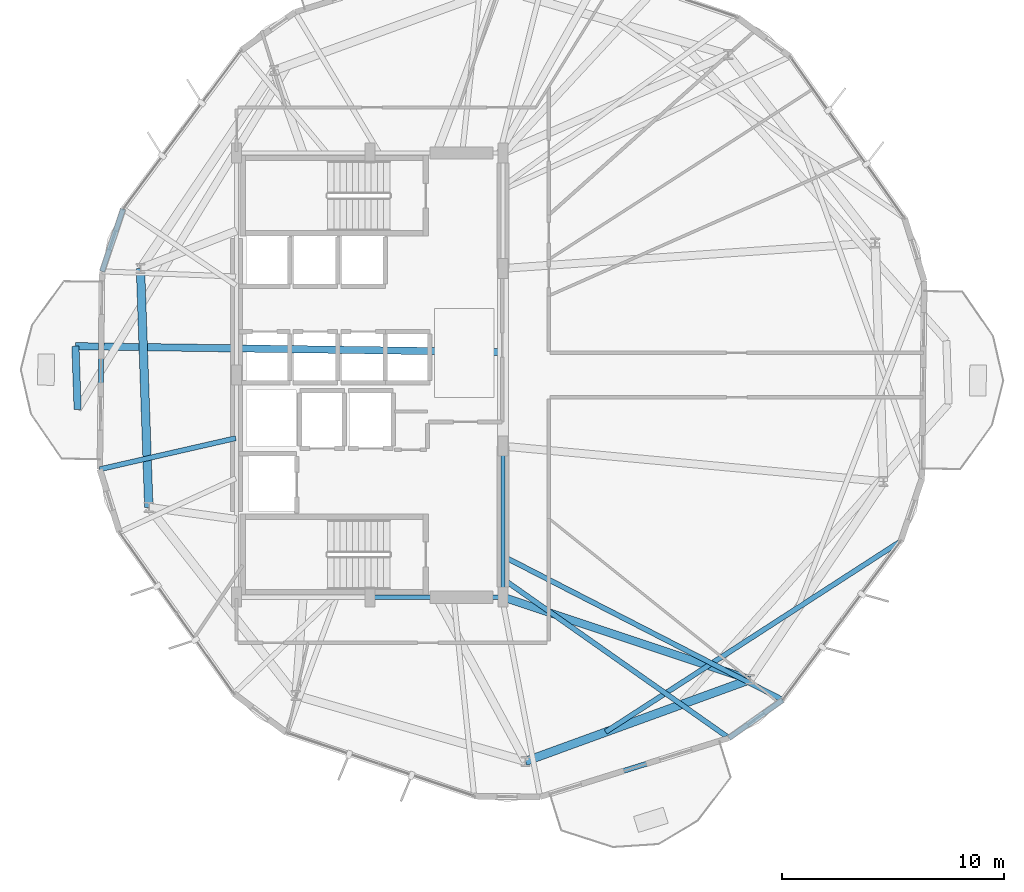
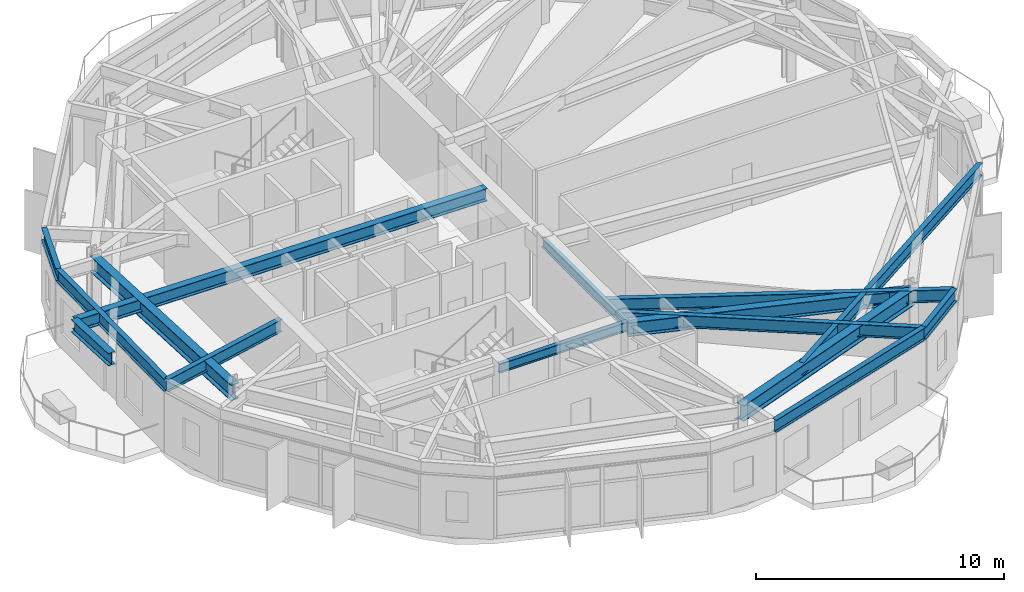
# One storey, part 6 of 27: 15 beams.
"""IFC4 building model written with IfcOpenShell, lengths in metres."""

from ifc_helpers import new_model, si_unit, direction, frame, origin, origin_2d, place, context, subcontext, project, spatial, i_section, extrude, material, material_profile, profile_set, type_object, element, save


model = new_model("IFC4")

# Units and contexts
model_context = context("Model", 3, precision=1e-05, world=origin(), true_north=direction((0.0, 1.0)))
body_context = subcontext(model_context, "Body", "Model", "MODEL_VIEW")
ifc_project = project(units=[si_unit("LENGTHUNIT", "METRE"), si_unit("AREAUNIT", "SQUARE_METRE"), si_unit("VOLUMEUNIT", "CUBIC_METRE"), si_unit("PLANEANGLEUNIT", "RADIAN"), si_unit("MASSUNIT", "GRAM", prefix="KILO")], contexts=[model_context])

# Site, building, storey
site_placement = place(None, origin())
site = spatial("IfcSite", under=ifc_project, at=site_placement, CompositionType="ELEMENT")
building_placement = place(site_placement, origin())
building = spatial("IfcBuilding", under=site, at=building_placement, Name="Soratama Intermodal Tower", CompositionType="ELEMENT")
storey_placement = place(building_placement, frame((0.0, 0.0, 95.199951171875)))
storey = spatial("IfcBuildingStorey", under=building, at=storey_placement, Name="L22", CompositionType="ELEMENT", Elevation=95.199951171875)

# Beams
ifc_material_1 = material(Name="Structural steel ASTM A992 Grade 50", Category="steel")
ifc_material_profile_1 = material_profile(ifc_material_1, i_section(OverallWidth=0.324951171875, OverallDepth=0.615966796875, WebThickness=0.013916015625, FlangeThickness=0.021484375, FilletRadius=0.013916015625, at=origin_2d()), Name="W24X117")
ifc_profile_set_1 = profile_set([ifc_material_profile_1], Name="Structural steel ASTM A992 Grade 50")
beam_type_1 = type_object("IfcBeamType", Name="BM-CANT-W24X117", PredefinedType="BEAM", material=ifc_profile_set_1)
beam_1_placement = place(storey_placement, frame((25.344970703125, 26.300048828125, 3.2919921875), z_axis=(0.034807752834, -0.999394026569, 0.0), x_axis=(0.999394026569, 0.034807752834, 0.0)))
element("IfcBeam", 1, at=beam_1_placement, inside=storey, type_object=beam_type_1, Name="BM-L22-CBHDR-3", PredefinedType="BEAM", context=body_context, shape_type="SweptSolid", body=[
    extrude(i_section(OverallWidth=0.324951171875, OverallDepth=0.615966796875, WebThickness=0.013916015625, FlangeThickness=0.021484375, FilletRadius=0.013916015625, at=origin_2d()), origin(), (0.0, 0.0, 1.0), 2.84765625),
])
beam_2_placement = place(storey_placement, frame((44.364990234375, 26.0400390625, 3.2919921875), z_axis=(-0.999906574261, 0.013669043483, 0.0), x_axis=(-0.013669043483, -0.999906574261, 0.0)))
element("IfcBeam", 2, at=beam_2_placement, inside=storey, type_object=beam_type_1, Name="BM-L22-CANT-3-1", PredefinedType="BEAM", context=body_context, shape_type="SweptSolid", body=[
    extrude(i_section(OverallWidth=0.324951171875, OverallDepth=0.615966796875, WebThickness=0.013916015625, FlangeThickness=0.021484375, FilletRadius=0.013916015625, at=origin_2d()), origin(), (0.0, 0.0, 1.0), 19.021728515625),
])
ifc_material_2 = material(Name="Structural steel ASTM A992 Grade 50", Category="steel")
ifc_material_profile_2 = material_profile(ifc_material_2, i_section(OverallWidth=0.19091796875, OverallDepth=0.4599609375, WebThickness=0.010009765625, FlangeThickness=0.01611328125, FilletRadius=0.010986328125, at=origin_2d()), Name="W18X55")
ifc_profile_set_2 = profile_set([ifc_material_profile_2], Name="Structural steel ASTM A992 Grade 50")
beam_type_2 = type_object("IfcBeamType", Name="BM-FLR-W18X55", PredefinedType="BEAM", material=ifc_profile_set_2)
beam_3_placement = place(storey_placement, frame((38.60009765625, 15.0, 3.3701171875), z_axis=(1.0, 0.0, 0.0), x_axis=(0.0, 1.0, 0.0)))
element("IfcBeam", 3, at=beam_3_placement, inside=storey, type_object=beam_type_2, Name="BM-L22-CRING-02", PredefinedType="BEAM", context=body_context, shape_type="SweptSolid", body=[
    extrude(i_section(OverallWidth=0.19091796875, OverallDepth=0.4599609375, WebThickness=0.010009765625, FlangeThickness=0.01611328125, FilletRadius=0.010986328125, at=origin_2d()), origin(), (0.0, 0.0, 1.0), 6.0),
])
beam_4_placement = place(storey_placement, frame((44.60009765625, 15.0, 3.3701171875), z_axis=(0.0, 1.0, 0.0), x_axis=(-1.0, 0.0, 0.0)))
element("IfcBeam", 4, at=beam_4_placement, inside=storey, type_object=beam_type_2, Name="BM-L22-CRING-03", PredefinedType="BEAM", context=body_context, shape_type="SweptSolid", body=[
    extrude(i_section(OverallWidth=0.19091796875, OverallDepth=0.4599609375, WebThickness=0.010009765625, FlangeThickness=0.01611328125, FilletRadius=0.010986328125, at=origin_2d()), origin(), (0.0, 0.0, 1.0), 6.800048828125),
])
ifc_material_3 = material(Name="Structural steel ASTM A992 Grade 50", Category="steel")
ifc_material_profile_3 = material_profile(ifc_material_3, i_section(OverallWidth=0.35498046875, OverallDepth=0.695068359375, WebThickness=0.015380859375, FlangeThickness=0.02490234375, FilletRadius=0.01611328125, at=origin_2d()), Name="W27X146")
ifc_profile_set_3 = profile_set([ifc_material_profile_3], Name="Structural steel ASTM A992 Grade 50")
beam_type_3 = type_object("IfcBeamType", Name="BM-RING-W27X146", PredefinedType="BEAM", material=ifc_profile_set_3)
beam_5_placement = place(storey_placement, frame((44.60009765625, 15.0, 3.25244140625), z_axis=(0.948503923169, -0.316765382787, 0.0), x_axis=(0.316765382787, 0.948503923169, 0.0)))
element("IfcBeam", 5, at=beam_5_placement, inside=storey, type_object=beam_type_3, Name="BM-L22-RAD-09", PredefinedType="BEAM", context=body_context, shape_type="SweptSolid", body=[
    extrude(i_section(OverallWidth=0.35498046875, OverallDepth=0.695068359375, WebThickness=0.015380859375, FlangeThickness=0.02490234375, FilletRadius=0.01611328125, at=origin_2d()), origin(), (0.0, 0.0, 1.0), 11.715087890625),
])
ifc_material_4 = material(Name="Structural steel ASTM A992 Grade 50", Category="steel")
ifc_material_profile_4 = material_profile(ifc_material_4, i_section(OverallWidth=0.382080078125, OverallDepth=0.779052734375, WebThickness=0.01806640625, FlangeThickness=0.030029296875, FilletRadius=0.01806640625, at=origin_2d()), Name="W30X191")
ifc_profile_set_4 = profile_set([ifc_material_profile_4], Name="Structural steel ASTM A992 Grade 50")
beam_type_4 = type_object("IfcBeamType", Name="BM-RING-W30X191", PredefinedType="BEAM", material=ifc_profile_set_4)
for number, where, z_axis, x_axis, name in (
    (6, (28.27392578125, 29.7958984375, 3.21044921875), (0.034872799059, -0.999391758964, 0.0), (0.999391758964, 0.034872799059, 0.0), "BM-L22-RING-05"),
    (7, (45.60693359375, 7.611083984375, 3.21044921875), (0.939690636038, 0.342025596326, 0.0), (-0.342025596326, 0.939690636038, 0.0), "BM-L22-RING-08"),
):
    element("IfcBeam", number, at=place(storey_placement, frame(where, z_axis=z_axis, x_axis=x_axis)), inside=storey, type_object=beam_type_4, Name=name, PredefinedType="BEAM", context=body_context, shape_type="SweptSolid", body=[
        extrude(i_section(OverallWidth=0.382080078125, OverallDepth=0.779052734375, WebThickness=0.01806640625, FlangeThickness=0.030029296875, FilletRadius=0.01806640625, at=origin_2d()), origin(), (0.0, 0.0, 1.0), 10.75341796875),
    ])
ifc_material_5 = material(Name="Structural steel ASTM A992 Grade 50", Category="steel")
ifc_material_profile_5 = material_profile(ifc_material_5, i_section(OverallWidth=0.22900390625, OverallDepth=0.612060546875, WebThickness=0.011962890625, FlangeThickness=0.01953125, FilletRadius=0.012939453125, at=origin_2d()), Name="W24X84")
ifc_profile_set_5 = profile_set([ifc_material_profile_5], Name="Structural steel ASTM A992 Grade 50")
beam_type_5 = type_object("IfcBeamType", Name="BM-SPN-W24X84", PredefinedType="SPANDREL", material=ifc_profile_set_5)
beam_6_placement = place(storey_placement, frame((27.492919921875, 32.47802734375, 3.2939453125), z_axis=(-0.319854363548, -0.947466720323, 0.0), x_axis=(0.947466720323, -0.319854363548, 0.0)))
element("IfcBeam", 8, at=beam_6_placement, inside=storey, type_object=beam_type_5, Name="BS-L22-CRN04", PredefinedType="SPANDREL", context=body_context, shape_type="SweptSolid", body=[
    extrude(i_section(OverallWidth=0.22900390625, OverallDepth=0.612060546875, WebThickness=0.011962890625, FlangeThickness=0.01953125, FilletRadius=0.012939453125, at=origin_2d()), origin(), (0.0, 0.0, 1.0), 2.966796875),
])
beam_7_placement = place(storey_placement, frame((26.5439453125, 29.6669921875, 3.2939453125), z_axis=(-0.011564989668, -0.999933123271, 0.0), x_axis=(0.999933123271, -0.011564989668, 0.0)))
element("IfcBeam", 9, at=beam_7_placement, inside=storey, type_object=beam_type_5, Name="BS-L22-F05", PredefinedType="SPANDREL", context=body_context, shape_type="SweptSolid", body=[
    extrude(i_section(OverallWidth=0.22900390625, OverallDepth=0.612060546875, WebThickness=0.011962890625, FlangeThickness=0.01953125, FilletRadius=0.012939453125, at=origin_2d()), origin(), (0.0, 0.0, 1.0), 8.908447265625),
])
beam_8_placement = place(storey_placement, frame((46.264892578125, 6.0048828125, 3.2939453125), z_axis=(0.954550662651, 0.298048708155, 0.0), x_axis=(-0.298048708155, 0.954550662651, 0.0)))
element("IfcBeam", 10, at=beam_8_placement, inside=storey, type_object=beam_type_5, Name="BS-L22-F08", PredefinedType="SPANDREL", context=body_context, shape_type="SweptSolid", body=[
    extrude(i_section(OverallWidth=0.22900390625, OverallDepth=0.612060546875, WebThickness=0.011962890625, FlangeThickness=0.01953125, FilletRadius=0.012939453125, at=origin_2d()), origin(), (0.0, 0.0, 1.0), 8.907958984375),
])
beam_9_placement = place(storey_placement, frame((54.76806640625, 8.659912109375, 3.2939453125), z_axis=(0.815713828325, 0.578455659735, 0.0), x_axis=(-0.578455659735, 0.815713828325, 0.0)))
element("IfcBeam", 11, at=beam_9_placement, inside=storey, type_object=beam_type_5, Name="BS-L22-CRN08", PredefinedType="SPANDREL", context=body_context, shape_type="SweptSolid", body=[
    extrude(i_section(OverallWidth=0.22900390625, OverallDepth=0.612060546875, WebThickness=0.011962890625, FlangeThickness=0.01953125, FilletRadius=0.012939453125, at=origin_2d()), origin(), (0.0, 0.0, 1.0), 2.966552734375),
])
ifc_material_6 = material(Name="Structural steel ASTM A992 Grade 50", Category="steel")
ifc_material_profile_6 = material_profile(ifc_material_6, i_section(OverallWidth=0.22900390625, OverallDepth=0.612060546875, WebThickness=0.011962890625, FlangeThickness=0.01953125, FilletRadius=0.012939453125, at=origin_2d()), Name="W24X84")
ifc_profile_set_6 = profile_set([ifc_material_profile_6], Name="Structural steel ASTM A992 Grade 50")
beam_type_6 = type_object("IfcBeamType", Name="BM-TIE-W24X84", PredefinedType="BEAM", material=ifc_profile_set_6)
beam_10_placement = place(storey_placement, frame((32.56103515625, 22.157958984375, 3.2939453125), z_axis=(-0.974857058415, -0.222831137096, 0.0), x_axis=(0.222831137096, -0.974857058415, 0.0)))
element("IfcBeam", 12, at=beam_10_placement, inside=storey, type_object=beam_type_6, Name="BM-L22-TIE1-05", PredefinedType="BEAM", context=body_context, shape_type="SweptSolid", body=[
    extrude(i_section(OverallWidth=0.22900390625, OverallDepth=0.612060546875, WebThickness=0.011962890625, FlangeThickness=0.01953125, FilletRadius=0.012939453125, at=origin_2d()), origin(), (0.0, 0.0, 1.0), 6.278076171875),
])
beam_11_placement = place(storey_placement, frame((44.633056640625, 15.791015625, 3.2939453125), z_axis=(0.817842132327, -0.575442652739, 0.0), x_axis=(0.575442652739, 0.817842132327, 0.0)))
element("IfcBeam", 13, at=beam_11_placement, inside=storey, type_object=beam_type_6, Name="BM-L22-TIE1-08", PredefinedType="BEAM", context=body_context, shape_type="SweptSolid", body=[
    extrude(i_section(OverallWidth=0.22900390625, OverallDepth=0.612060546875, WebThickness=0.011962890625, FlangeThickness=0.01953125, FilletRadius=0.012939453125, at=origin_2d()), origin(), (0.0, 0.0, 1.0), 12.392333984375),
])
beam_12_placement = place(storey_placement, frame((44.635986328125, 16.824951171875, 3.2939453125), z_axis=(0.88947047551, -0.4569926402, 0.0), x_axis=(0.4569926402, 0.88947047551, 0.0)))
element("IfcBeam", 14, at=beam_12_placement, inside=storey, type_object=beam_type_6, Name="BM-L22-TIE0-09", PredefinedType="BEAM", context=body_context, shape_type="SweptSolid", body=[
    extrude(i_section(OverallWidth=0.22900390625, OverallDepth=0.612060546875, WebThickness=0.011962890625, FlangeThickness=0.01953125, FilletRadius=0.012939453125, at=origin_2d()), origin(), (0.0, 0.0, 1.0), 14.11181640625),
])
beam_13_placement = place(storey_placement, frame((49.217041015625, 8.93408203125, 3.2939453125), z_axis=(0.839902818287, 0.542736820046, 0.0), x_axis=(-0.542736820046, 0.839902818287, 0.0)))
element("IfcBeam", 15, at=beam_13_placement, inside=storey, type_object=beam_type_6, Name="BM-L22-TIE1-09", PredefinedType="BEAM", context=body_context, shape_type="SweptSolid", body=[
    extrude(i_section(OverallWidth=0.22900390625, OverallDepth=0.612060546875, WebThickness=0.011962890625, FlangeThickness=0.01953125, FilletRadius=0.012939453125, at=origin_2d()), origin(), (0.0, 0.0, 1.0), 15.8232421875),
])

save(model, "model.ifc")
